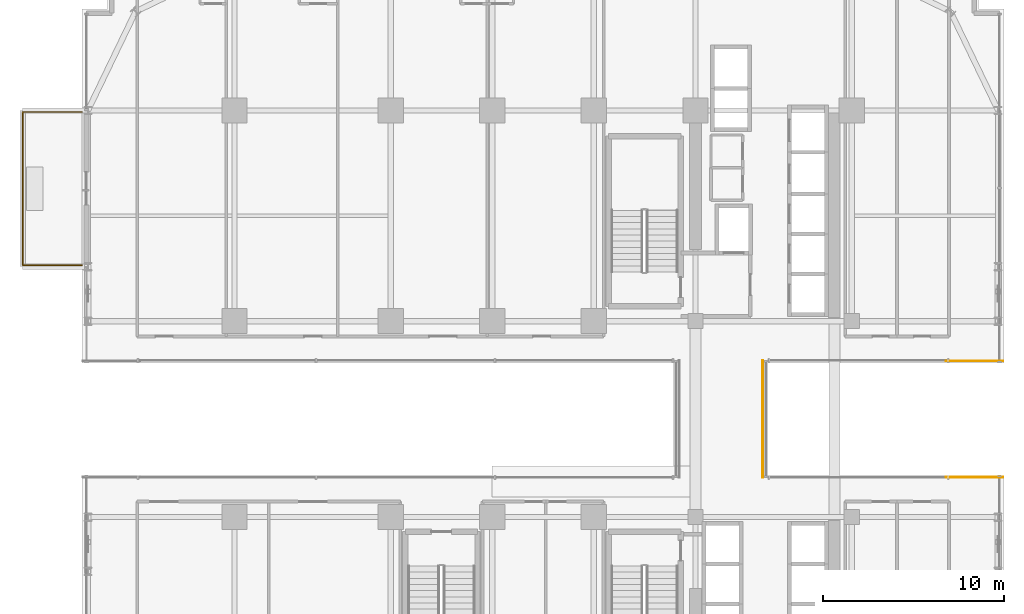
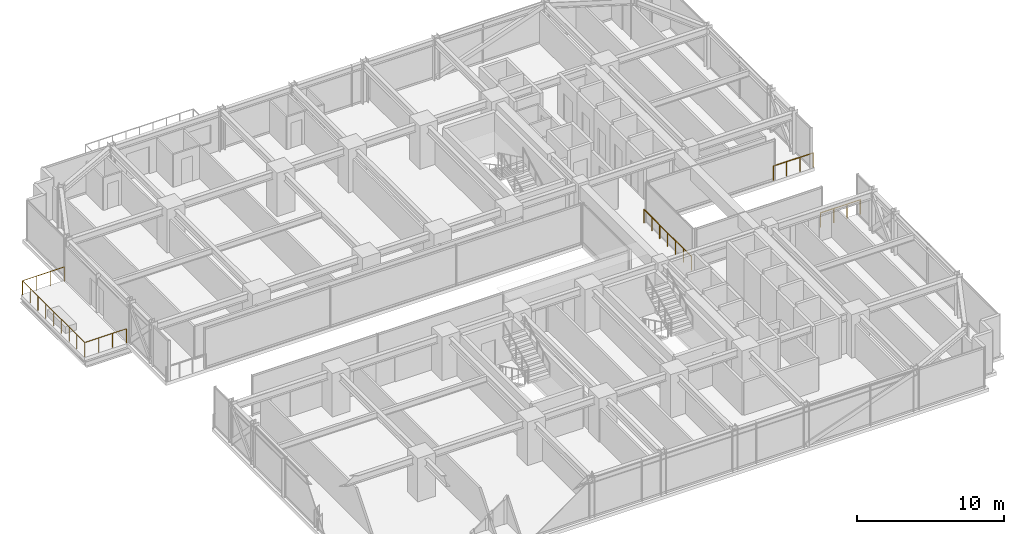
# One storey, part 40 of 42: 4 railings.
"""IFC4 building model written with IfcOpenShell, lengths in metres."""

from ifc_helpers import new_model, si_unit, direction, frame, origin, origin_2d, place, context, subcontext, project, spatial, circle, extrude, material, type_object, element, save


model = new_model("IFC4")

# Units and contexts
model_context = context("Model", 3, precision=1e-05, world=origin(), true_north=direction((0.0, 1.0)))
body_context = subcontext(model_context, "Body", "Model", "MODEL_VIEW")
ifc_project = project(units=[si_unit("LENGTHUNIT", "METRE"), si_unit("AREAUNIT", "SQUARE_METRE"), si_unit("VOLUMEUNIT", "CUBIC_METRE"), si_unit("PLANEANGLEUNIT", "RADIAN"), si_unit("MASSUNIT", "GRAM", prefix="KILO")], contexts=[model_context])

# Site, building, storey
site_placement = place(None, origin())
site = spatial("IfcSite", under=ifc_project, at=site_placement, CompositionType="ELEMENT")
building_placement = place(site_placement, origin())
building = spatial("IfcBuilding", under=site, at=building_placement, Name="Nahalor Promenade Grand Hotel", CompositionType="ELEMENT")
storey_placement = place(building_placement, frame((0.0, 0.0, 61.60009765625)))
storey = spatial("IfcBuildingStorey", under=building, at=storey_placement, Name="L14", CompositionType="ELEMENT", Elevation=61.60009765625)

# Railings
ifc_material = material(Name="Anodised Bronze Aluminium EN AW-6063 T6", Category="aluminium")
railing_type_1 = type_object("IfcRailingType", Name="Bronze Balcony Guardrail 1200 mm", PredefinedType="GUARDRAIL", material=ifc_material)
for number, where, name in (
    (1, (22.219970703125, -3.199951171875, 0.0), "L14 Oculus Void Edge Guardrail ES"),
    (2, (22.219970703125, 3.199951171875, 0.0), "L14 Oculus Void Edge Guardrail EN"),
):
    element("IfcRailing", number, at=place(storey_placement, frame(where)), inside=storey, type_object=railing_type_1, Name=name, PredefinedType="GUARDRAIL", context=body_context, shape_type="SweptSolid", body=[
        extrude(circle(Radius=0.024048, at=origin_2d()), frame((0.0, 0.0, 1.17578125), z_axis=(1.0, 0.0, 0.0), x_axis=(0.0, 1.0, 0.0)), (0.0, 0.0, 1.0), 3.1201171875),
        extrude(circle(Radius=0.020996, at=origin_2d()), origin(), (0.0, 0.0, 1.0), 1.14990234375),
        extrude(circle(Radius=0.020996, at=origin_2d()), frame((1.0400390625, 0.0, 0.0)), (0.0, 0.0, 1.0), 1.14990234375),
        extrude(circle(Radius=0.020996, at=origin_2d()), frame((2.080078125, 0.0, 0.0)), (0.0, 0.0, 1.0), 1.14990234375),
        extrude(circle(Radius=0.020996, at=origin_2d()), frame((3.1201171875, 0.0, 0.0)), (0.0, 0.0, 1.0), 1.14990234375),
    ])
railing_1_placement = place(storey_placement, frame((-25.39990234375, 8.47998046875, 0.0)))
element("IfcRailing", 3, at=railing_1_placement, inside=storey, type_object=railing_type_1, Name="L14 Balcony Guardrail 2", PredefinedType="GUARDRAIL", context=body_context, shape_type="SweptSolid", body=[
    extrude(circle(Radius=0.024048, at=origin_2d()), frame((0.0, 0.0, 1.17578125), z_axis=(-1.0, 0.0, 0.0), x_axis=(0.0, -1.0, 0.0)), (0.0, 0.0, 1.0), 3.26806640625),
    extrude(circle(Radius=0.024048, at=origin_2d()), frame((-3.27001953125, 0.001953125, 1.17578125), z_axis=(0.0, 1.0, 0.0), x_axis=(-1.0, 0.0, 0.0)), (0.0, 0.0, 1.0), 8.43603515625),
    extrude(circle(Radius=0.024048, at=origin_2d()), frame((-3.26806640625, 8.43994140625, 1.17578125), z_axis=(1.0, 0.0, 0.0), x_axis=(0.0, 1.0, 0.0)), (0.0, 0.0, 1.0), 3.26806640625),
    extrude(circle(Radius=0.020996, at=origin_2d()), origin(), (0.0, 0.0, 1.0), 1.14990234375),
    extrude(circle(Radius=0.020996, at=origin_2d()), frame((-1.090087890625, 0.0, 0.0)), (0.0, 0.0, 1.0), 1.14990234375),
    extrude(circle(Radius=0.020996, at=origin_2d()), frame((-2.179931640625, 0.0, 0.0)), (0.0, 0.0, 1.0), 1.14990234375),
    extrude(circle(Radius=0.020996, at=origin_2d()), frame((-3.27001953125, 0.0, 0.0)), (0.0, 0.0, 1.0), 1.14990234375),
    extrude(circle(Radius=0.020996, at=origin_2d()), frame((-3.27001953125, 1.054931640625, 0.0)), (0.0, 0.0, 1.0), 1.14990234375),
    extrude(circle(Radius=0.020996, at=origin_2d()), frame((-3.27001953125, 2.10986328125, 0.0)), (0.0, 0.0, 1.0), 1.14990234375),
    extrude(circle(Radius=0.020996, at=origin_2d()), frame((-3.27001953125, 3.1650390625, 0.0)), (0.0, 0.0, 1.0), 1.14990234375),
    extrude(circle(Radius=0.020996, at=origin_2d()), frame((-3.27001953125, 4.219970703125, 0.0)), (0.0, 0.0, 1.0), 1.14990234375),
    extrude(circle(Radius=0.020996, at=origin_2d()), frame((-3.27001953125, 5.27490234375, 0.0)), (0.0, 0.0, 1.0), 1.14990234375),
    extrude(circle(Radius=0.020996, at=origin_2d()), frame((-3.27001953125, 6.330078125, 0.0)), (0.0, 0.0, 1.0), 1.14990234375),
    extrude(circle(Radius=0.020996, at=origin_2d()), frame((-3.27001953125, 7.385009765625, 0.0)), (0.0, 0.0, 1.0), 1.14990234375),
    extrude(circle(Radius=0.020996, at=origin_2d()), frame((-3.27001953125, 8.43994140625, 0.0)), (0.0, 0.0, 1.0), 1.14990234375),
    extrude(circle(Radius=0.020996, at=origin_2d()), frame((-2.179931640625, 8.43994140625, 0.0)), (0.0, 0.0, 1.0), 1.14990234375),
    extrude(circle(Radius=0.020996, at=origin_2d()), frame((-1.090087890625, 8.43994140625, 0.0)), (0.0, 0.0, 1.0), 1.14990234375),
    extrude(circle(Radius=0.020996, at=origin_2d()), frame((0.0, 8.43994140625, 0.0)), (0.0, 0.0, 1.0), 1.14990234375),
])
railing_type_2 = type_object("IfcRailingType", Name="Bronze Sky Balustrade 1150 mm", PredefinedType="BALUSTRADE", material=ifc_material)
railing_2_placement = place(storey_placement, frame((12.10009765625, -3.219970703125, 0.0)))
element("IfcRailing", 4, at=railing_2_placement, inside=storey, type_object=railing_type_2, Name="BL-L14-BRG-E", PredefinedType="BALUSTRADE", context=body_context, shape_type="SweptSolid", body=[
    extrude(circle(Radius=0.024048, at=origin_2d()), frame((0.0, 0.0, 1.1259765625), z_axis=(0.0, 1.0, 0.0), x_axis=(-1.0, 0.0, 0.0)), (0.0, 0.0, 1.0), 6.43994140625),
    extrude(circle(Radius=0.020996, at=origin_2d()), origin(), (0.0, 0.0, 1.0), 1.099853515625),
    extrude(circle(Radius=0.020996, at=origin_2d()), frame((0.0, 1.0732421875, 0.0)), (0.0, 0.0, 1.0), 1.099853515625),
    extrude(circle(Radius=0.020996, at=origin_2d()), frame((0.0, 2.146728515625, 0.0)), (0.0, 0.0, 1.0), 1.099853515625),
    extrude(circle(Radius=0.020996, at=origin_2d()), frame((0.0, 3.219970703125, 0.0)), (0.0, 0.0, 1.0), 1.099853515625),
    extrude(circle(Radius=0.020996, at=origin_2d()), frame((0.0, 4.293212890625, 0.0)), (0.0, 0.0, 1.0), 1.099853515625),
    extrude(circle(Radius=0.020996, at=origin_2d()), frame((0.0, 5.36669921875, 0.0)), (0.0, 0.0, 1.0), 1.099853515625),
    extrude(circle(Radius=0.020996, at=origin_2d()), frame((0.0, 6.43994140625, 0.0)), (0.0, 0.0, 1.0), 1.099853515625),
])

save(model, "model.ifc")
